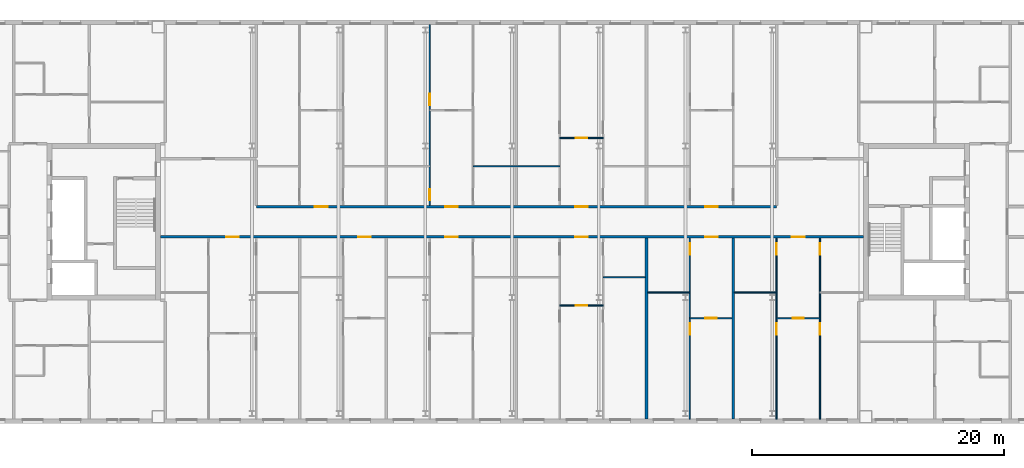
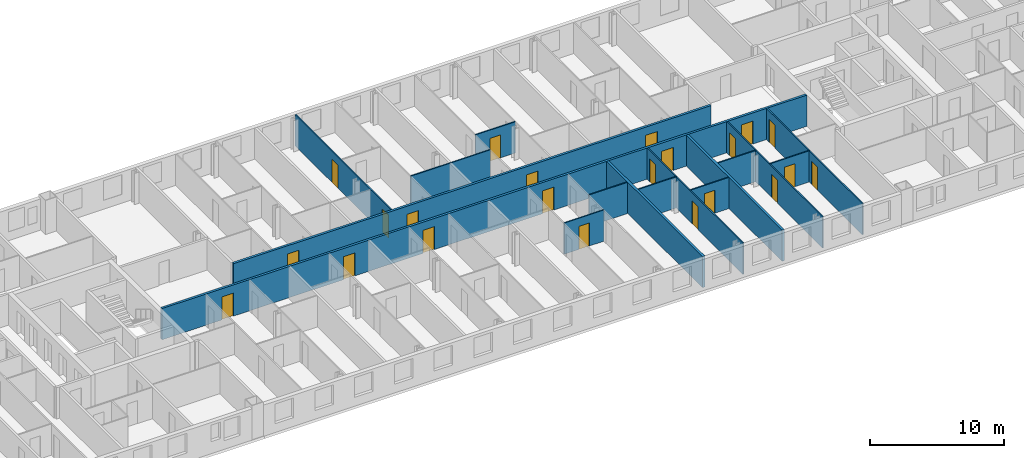
# One storey, part 11 of 19: 22 doors, 16 walls, 22 openings.
"""IFC4 building model written with IfcOpenShell, lengths in metres."""

from ifc_helpers import new_model, si_unit, direction, frame, frame_2d, origin, place, context, subcontext, project, spatial, rectangle, extrude, material, layer, layer_set, type_object, element, fill, save


model = new_model("IFC4")

# Units and contexts
model_context = context("Model", 3, precision=1e-05, world=origin(), true_north=direction((0.0, 1.0)))
body_context = subcontext(model_context, "Body", "Model", "MODEL_VIEW")
ifc_project = project(units=[si_unit("LENGTHUNIT", "METRE"), si_unit("AREAUNIT", "SQUARE_METRE"), si_unit("VOLUMEUNIT", "CUBIC_METRE"), si_unit("PLANEANGLEUNIT", "RADIAN"), si_unit("MASSUNIT", "GRAM", prefix="KILO")], contexts=[model_context])

# Site, building, storey
site_placement = place(None, origin())
site = spatial("IfcSite", under=ifc_project, at=site_placement, CompositionType="ELEMENT")
building_placement = place(site_placement, origin())
building = spatial("IfcBuilding", under=site, at=building_placement, Name="Tuart Gate Housing", CompositionType="ELEMENT")
storey_placement = place(building_placement, frame((0.0, 0.0, 209.0)))
storey = spatial("IfcBuildingStorey", under=building, at=storey_placement, Name="L59", CompositionType="ELEMENT", Elevation=209.0)

# Wall, openings, doors
ifc_material_1 = material(Name="Concrete masonry 15 MPa", Category="masonry")
ifc_layer_1 = layer(ifc_material_1, 0.199951171875)
ifc_layer_set_1 = layer_set([ifc_layer_1], Name="Corridor wall masonry 200")
wall_type_1 = type_object("IfcWallType", Name="Corridor wall masonry 200", PredefinedType="PARTITIONING", material=ifc_layer_set_1)
wall_1_placement = place(storey_placement, frame((75.639892578125, 68.800048828125, 0.0), z_axis=(0.0, 0.0, 1.0), x_axis=(1.0, 0.0, 0.0)))
wall_1 = element("IfcWall", 1, at=wall_1_placement, inside=storey, type_object=wall_type_1, Name="Corridor wall masonry 200", PredefinedType="PARTITIONING", context=body_context, shape_type="SweptSolid", body=[
    extrude(rectangle(XDim=55.72021484375, YDim=0.199951171875, at=frame_2d((27.860107421875, 0.0))), origin(), (0.0, 0.0, 1.0), 2.85009765625),
])
opening_1_placement = place(wall_1_placement, frame((5.19140625, 0.0, 0.0)))
opening_1 = element("IfcOpeningElement", 2, at=opening_1_placement, cuts=wall_1, Name="Opening D2192", PredefinedType="OPENING", context=body_context, shape_type="SweptSolid", body=[
    extrude(rectangle(XDim=1.0, YDim=2.10009765625, at=frame_2d((0.5, 1.050048828125))), frame((0.0, 0.10986328125, 0.0), z_axis=(0.0, -1.0, 0.0), x_axis=(1.0, 0.0, 0.0)), (0.0, 0.0, 1.0), 0.219970703125),
])
opening_2_placement = place(wall_1_placement, frame((15.678466796875, 0.0, 0.0)))
opening_2 = element("IfcOpeningElement", 3, at=opening_2_placement, cuts=wall_1, Name="Opening D2193", PredefinedType="OPENING", context=body_context, shape_type="SweptSolid", body=[
    extrude(rectangle(XDim=1.0, YDim=2.10009765625, at=frame_2d((0.5, 1.050048828125))), frame((0.0, 0.10986328125, 0.0), z_axis=(0.0, -1.0, 0.0), x_axis=(1.0, 0.0, 0.0)), (0.0, 0.0, 1.0), 0.219970703125),
])
opening_3_placement = place(wall_1_placement, frame((22.553466796875, 0.0, 0.0)))
opening_3 = element("IfcOpeningElement", 4, at=opening_3_placement, cuts=wall_1, Name="Opening D2194", PredefinedType="OPENING", context=body_context, shape_type="SweptSolid", body=[
    extrude(rectangle(XDim=1.0, YDim=2.10009765625, at=frame_2d((0.5, 1.050048828125))), frame((0.0, 0.10986328125, 0.0), z_axis=(0.0, -1.0, 0.0), x_axis=(1.0, 0.0, 0.0)), (0.0, 0.0, 1.0), 0.219970703125),
])
opening_4_placement = place(wall_1_placement, frame((32.865966796875, 0.0, 0.0)))
opening_4 = element("IfcOpeningElement", 5, at=opening_4_placement, cuts=wall_1, Name="Opening D2195", PredefinedType="OPENING", context=body_context, shape_type="SweptSolid", body=[
    extrude(rectangle(XDim=1.0, YDim=2.10009765625, at=frame_2d((0.5, 1.050048828125))), frame((0.0, 0.10986328125, 0.0), z_axis=(0.0, -1.0, 0.0), x_axis=(1.0, 0.0, 0.0)), (0.0, 0.0, 1.0), 0.219970703125),
])
opening_5_placement = place(wall_1_placement, frame((43.178466796875, 0.0, 0.0)))
opening_5 = element("IfcOpeningElement", 6, at=opening_5_placement, cuts=wall_1, Name="Opening D2196", PredefinedType="OPENING", context=body_context, shape_type="SweptSolid", body=[
    extrude(rectangle(XDim=1.0, YDim=2.10009765625, at=frame_2d((0.5, 1.050048828125))), frame((0.0, 0.10986328125, 0.0), z_axis=(0.0, -1.0, 0.0), x_axis=(1.0, 0.0, 0.0)), (0.0, 0.0, 1.0), 0.219970703125),
])
opening_6_placement = place(wall_1_placement, frame((50.053466796875, 0.0, 0.0)))
opening_6 = element("IfcOpeningElement", 7, at=opening_6_placement, cuts=wall_1, Name="Opening D2197", PredefinedType="OPENING", context=body_context, shape_type="SweptSolid", body=[
    extrude(rectangle(XDim=1.0, YDim=2.10009765625, at=frame_2d((0.5, 1.050048828125))), frame((0.0, 0.10986328125, 0.0), z_axis=(0.0, -1.0, 0.0), x_axis=(1.0, 0.0, 0.0)), (0.0, 0.0, 1.0), 0.219970703125),
])
ifc_material_2 = material(Name="Timber door leaf in steel frame", Category="steel")
door_type_1 = type_object("IfcDoorType", Name="Flat entrance door 1000 RH", OperationType="SINGLE_SWING_RIGHT", PredefinedType="DOOR", material=ifc_material_2)
door_1_placement = place(opening_1_placement, frame((1.0, 0.0, 0.0), z_axis=(0.0, 0.0, 1.0), x_axis=(-1.0, 0.0, 0.0)))
door_1 = element("IfcDoor", 8, at=door_1_placement, inside=storey, type_object=door_type_1, Name="Flat entrance door", OperationType="SINGLE_SWING_RIGHT", OverallHeight=2.10009765625, OverallWidth=1.0, PredefinedType="DOOR", context=body_context, shape_type="SweptSolid", body=[
    extrude(rectangle(XDim=1.0, YDim=2.10009765625, at=frame_2d((0.5, 1.050048828125))), frame((0.0, 0.025146484375, 0.0), z_axis=(0.0, -1.0, 0.0), x_axis=(1.0, 0.0, 0.0)), (0.0, 0.0, 1.0), 0.050048828125),
])
fill(opening_1, door_1)
door_2_placement = place(opening_2_placement, frame((1.0, 0.0, 0.0), z_axis=(0.0, 0.0, 1.0), x_axis=(-1.0, 0.0, 0.0)))
door_2 = element("IfcDoor", 9, at=door_2_placement, inside=storey, type_object=door_type_1, Name="Flat entrance door", OperationType="SINGLE_SWING_RIGHT", OverallHeight=2.10009765625, OverallWidth=1.0, PredefinedType="DOOR", context=body_context, shape_type="SweptSolid", body=[
    extrude(rectangle(XDim=1.0, YDim=2.10009765625, at=frame_2d((0.5, 1.050048828125))), frame((0.0, 0.025146484375, 0.0), z_axis=(0.0, -1.0, 0.0), x_axis=(1.0, 0.0, 0.0)), (0.0, 0.0, 1.0), 0.050048828125),
])
fill(opening_2, door_2)
door_3_placement = place(opening_3_placement, frame((1.0, 0.0, 0.0), z_axis=(0.0, 0.0, 1.0), x_axis=(-1.0, 0.0, 0.0)))
door_3 = element("IfcDoor", 10, at=door_3_placement, inside=storey, type_object=door_type_1, Name="Flat entrance door", OperationType="SINGLE_SWING_RIGHT", OverallHeight=2.10009765625, OverallWidth=1.0, PredefinedType="DOOR", context=body_context, shape_type="SweptSolid", body=[
    extrude(rectangle(XDim=1.0, YDim=2.10009765625, at=frame_2d((0.5, 1.050048828125))), frame((0.0, 0.025146484375, 0.0), z_axis=(0.0, -1.0, 0.0), x_axis=(1.0, 0.0, 0.0)), (0.0, 0.0, 1.0), 0.050048828125),
])
fill(opening_3, door_3)
door_4_placement = place(opening_4_placement, frame((1.0, 0.0, 0.0), z_axis=(0.0, 0.0, 1.0), x_axis=(-1.0, 0.0, 0.0)))
door_4 = element("IfcDoor", 11, at=door_4_placement, inside=storey, type_object=door_type_1, Name="Flat entrance door", OperationType="SINGLE_SWING_RIGHT", OverallHeight=2.10009765625, OverallWidth=1.0, PredefinedType="DOOR", context=body_context, shape_type="SweptSolid", body=[
    extrude(rectangle(XDim=1.0, YDim=2.10009765625, at=frame_2d((0.5, 1.050048828125))), frame((0.0, 0.025146484375, 0.0), z_axis=(0.0, -1.0, 0.0), x_axis=(1.0, 0.0, 0.0)), (0.0, 0.0, 1.0), 0.050048828125),
])
fill(opening_4, door_4)
door_5_placement = place(opening_5_placement, frame((1.0, 0.0, 0.0), z_axis=(0.0, 0.0, 1.0), x_axis=(-1.0, 0.0, 0.0)))
door_5 = element("IfcDoor", 12, at=door_5_placement, inside=storey, type_object=door_type_1, Name="Flat entrance door", OperationType="SINGLE_SWING_RIGHT", OverallHeight=2.10009765625, OverallWidth=1.0, PredefinedType="DOOR", context=body_context, shape_type="SweptSolid", body=[
    extrude(rectangle(XDim=1.0, YDim=2.10009765625, at=frame_2d((0.5, 1.050048828125))), frame((0.0, 0.025146484375, 0.0), z_axis=(0.0, -1.0, 0.0), x_axis=(1.0, 0.0, 0.0)), (0.0, 0.0, 1.0), 0.050048828125),
])
fill(opening_5, door_5)
door_6_placement = place(opening_6_placement, frame((1.0, 0.0, 0.0), z_axis=(0.0, 0.0, 1.0), x_axis=(-1.0, 0.0, 0.0)))
door_6 = element("IfcDoor", 13, at=door_6_placement, inside=storey, type_object=door_type_1, Name="Flat entrance door", OperationType="SINGLE_SWING_RIGHT", OverallHeight=2.10009765625, OverallWidth=1.0, PredefinedType="DOOR", context=body_context, shape_type="SweptSolid", body=[
    extrude(rectangle(XDim=1.0, YDim=2.10009765625, at=frame_2d((0.5, 1.050048828125))), frame((0.0, 0.025146484375, 0.0), z_axis=(0.0, -1.0, 0.0), x_axis=(1.0, 0.0, 0.0)), (0.0, 0.0, 1.0), 0.050048828125),
])
fill(opening_6, door_6)

wall_2_placement = place(storey_placement, frame((83.22509765625, 71.199951171875, 0.0), z_axis=(0.0, 0.0, 1.0), x_axis=(1.0, 0.0, 0.0)))
wall_2 = element("IfcWall", 14, at=wall_2_placement, inside=storey, type_object=wall_type_1, Name="Corridor wall masonry 200", PredefinedType="PARTITIONING", context=body_context, shape_type="SweptSolid", body=[
    extrude(rectangle(XDim=41.25, YDim=0.199951171875, at=frame_2d((20.625, 0.0))), origin(), (0.0, 0.0, 1.0), 2.85009765625),
])
opening_7_placement = place(wall_2_placement, frame((4.656005859375, 0.0, 0.0)))
opening_7 = element("IfcOpeningElement", 15, at=opening_7_placement, cuts=wall_2, Name="Opening D2188", PredefinedType="OPENING", context=body_context, shape_type="SweptSolid", body=[
    extrude(rectangle(XDim=1.0, YDim=2.10009765625, at=frame_2d((0.5, 1.050048828125))), frame((0.0, 0.10986328125, 0.0), z_axis=(0.0, -1.0, 0.0), x_axis=(1.0, 0.0, 0.0)), (0.0, 0.0, 1.0), 0.219970703125),
])
opening_8_placement = place(wall_2_placement, frame((14.968505859375, 0.0, 0.0)))
opening_8 = element("IfcOpeningElement", 16, at=opening_8_placement, cuts=wall_2, Name="Opening D2189", PredefinedType="OPENING", context=body_context, shape_type="SweptSolid", body=[
    extrude(rectangle(XDim=1.0, YDim=2.10009765625, at=frame_2d((0.5, 1.050048828125))), frame((0.0, 0.10986328125, 0.0), z_axis=(0.0, -1.0, 0.0), x_axis=(1.0, 0.0, 0.0)), (0.0, 0.0, 1.0), 0.219970703125),
])
opening_9_placement = place(wall_2_placement, frame((25.281005859375, 0.0, 0.0)))
opening_9 = element("IfcOpeningElement", 17, at=opening_9_placement, cuts=wall_2, Name="Opening D2190", PredefinedType="OPENING", context=body_context, shape_type="SweptSolid", body=[
    extrude(rectangle(XDim=1.0, YDim=2.10009765625, at=frame_2d((0.5, 1.050048828125))), frame((0.0, 0.10986328125, 0.0), z_axis=(0.0, -1.0, 0.0), x_axis=(1.0, 0.0, 0.0)), (0.0, 0.0, 1.0), 0.219970703125),
])
opening_10_placement = place(wall_2_placement, frame((35.593505859375, 0.0, 0.0)))
opening_10 = element("IfcOpeningElement", 18, at=opening_10_placement, cuts=wall_2, Name="Opening D2191", PredefinedType="OPENING", context=body_context, shape_type="SweptSolid", body=[
    extrude(rectangle(XDim=1.0, YDim=2.10009765625, at=frame_2d((0.5, 1.050048828125))), frame((0.0, 0.10986328125, 0.0), z_axis=(0.0, -1.0, 0.0), x_axis=(1.0, 0.0, 0.0)), (0.0, 0.0, 1.0), 0.219970703125),
])
ifc_material_3 = material(Name="Timber door leaf in steel frame", Category="steel")
door_type_2 = type_object("IfcDoorType", Name="Flat entrance door 1000", OperationType="SINGLE_SWING_LEFT", PredefinedType="DOOR", material=ifc_material_3)
door_7_placement = place(opening_7_placement, origin())
door_7 = element("IfcDoor", 19, at=door_7_placement, inside=storey, type_object=door_type_2, Name="Flat entrance door", OperationType="SINGLE_SWING_LEFT", OverallHeight=2.10009765625, OverallWidth=1.0, PredefinedType="DOOR", context=body_context, shape_type="SweptSolid", body=[
    extrude(rectangle(XDim=1.0, YDim=2.10009765625, at=frame_2d((0.5, 1.050048828125))), frame((0.0, 0.02490234375, 0.0), z_axis=(0.0, -1.0, 0.0), x_axis=(1.0, 0.0, 0.0)), (0.0, 0.0, 1.0), 0.050048828125),
])
fill(opening_7, door_7)
door_8_placement = place(opening_8_placement, origin())
door_8 = element("IfcDoor", 20, at=door_8_placement, inside=storey, type_object=door_type_2, Name="Flat entrance door", OperationType="SINGLE_SWING_LEFT", OverallHeight=2.10009765625, OverallWidth=1.0, PredefinedType="DOOR", context=body_context, shape_type="SweptSolid", body=[
    extrude(rectangle(XDim=1.0, YDim=2.10009765625, at=frame_2d((0.5, 1.050048828125))), frame((0.0, 0.02490234375, 0.0), z_axis=(0.0, -1.0, 0.0), x_axis=(1.0, 0.0, 0.0)), (0.0, 0.0, 1.0), 0.050048828125),
])
fill(opening_8, door_8)
door_9_placement = place(opening_9_placement, origin())
door_9 = element("IfcDoor", 21, at=door_9_placement, inside=storey, type_object=door_type_2, Name="Flat entrance door", OperationType="SINGLE_SWING_LEFT", OverallHeight=2.10009765625, OverallWidth=1.0, PredefinedType="DOOR", context=body_context, shape_type="SweptSolid", body=[
    extrude(rectangle(XDim=1.0, YDim=2.10009765625, at=frame_2d((0.5, 1.050048828125))), frame((0.0, 0.02490234375, 0.0), z_axis=(0.0, -1.0, 0.0), x_axis=(1.0, 0.0, 0.0)), (0.0, 0.0, 1.0), 0.050048828125),
])
fill(opening_9, door_9)
door_10_placement = place(opening_10_placement, origin())
door_10 = element("IfcDoor", 22, at=door_10_placement, inside=storey, type_object=door_type_2, Name="Flat entrance door", OperationType="SINGLE_SWING_LEFT", OverallHeight=2.10009765625, OverallWidth=1.0, PredefinedType="DOOR", context=body_context, shape_type="SweptSolid", body=[
    extrude(rectangle(XDim=1.0, YDim=2.10009765625, at=frame_2d((0.5, 1.050048828125))), frame((0.0, 0.02490234375, 0.0), z_axis=(0.0, -1.0, 0.0), x_axis=(1.0, 0.0, 0.0)), (0.0, 0.0, 1.0), 0.050048828125),
])
fill(opening_10, door_10)

# Wall, opening, door
ifc_material_4 = material(Name="Gypsum board on steel studs", Category="steel")
ifc_layer_2 = layer(ifc_material_4, 0.10009765625)
ifc_layer_set_2 = layer_set([ifc_layer_2], Name="Partition 100")
wall_type_2 = type_object("IfcWallType", Name="Partition 100", PredefinedType="PARTITIONING", material=ifc_layer_set_2)
wall_3_placement = place(storey_placement, frame((117.60009765625, 62.360107421875, 0.0), z_axis=(0.0, 0.0, 1.0), x_axis=(1.0, 0.0, 0.0)))
wall_3 = element("IfcWall", 23, at=wall_3_placement, inside=storey, type_object=wall_type_2, Name="Partition 100", PredefinedType="PARTITIONING", context=body_context, shape_type="SweptSolid", body=[
    extrude(rectangle(XDim=3.3369140625, YDim=0.10009765625, at=frame_2d((1.66845703125, 0.0))), origin(), (0.0, 0.0, 1.0), 2.85009765625),
])
opening_11_placement = place(wall_3_placement, frame((1.218505859375, 0.0, 0.0)))
opening_11 = element("IfcOpeningElement", 24, at=opening_11_placement, cuts=wall_3, Name="Opening D2200", PredefinedType="OPENING", context=body_context, shape_type="SweptSolid", body=[
    extrude(rectangle(XDim=0.89990234375, YDim=2.10009765625, at=frame_2d((0.449951171875, 1.050048828125))), frame((0.0, 0.06005859375, 0.0), z_axis=(0.0, -1.0, 0.0), x_axis=(1.0, 0.0, 0.0)), (0.0, 0.0, 1.0), 0.1201171875),
])
ifc_material_5 = material(Name="Timber door leaf in steel frame", Category="steel")
door_type_3 = type_object("IfcDoorType", Name="Internal door 900", OperationType="SINGLE_SWING_LEFT", PredefinedType="DOOR", material=ifc_material_5)
door_11_placement = place(opening_11_placement, origin())
door_11 = element("IfcDoor", 25, at=door_11_placement, inside=storey, type_object=door_type_3, Name="Internal door", OperationType="SINGLE_SWING_LEFT", OverallHeight=2.10009765625, OverallWidth=0.89990234375, PredefinedType="DOOR", context=body_context, shape_type="SweptSolid", body=[
    extrude(rectangle(XDim=0.89990234375, YDim=2.10009765625, at=frame_2d((0.449951171875, 1.050048828125))), frame((0.0, 0.02490234375, 0.0), z_axis=(0.0, -1.0, 0.0), x_axis=(1.0, 0.0, 0.0)), (0.0, 0.0, 1.0), 0.050048828125),
])
fill(opening_11, door_11)

wall_4_placement = place(storey_placement, frame((124.47509765625, 62.360107421875, 0.0), z_axis=(0.0, 0.0, 1.0), x_axis=(1.0, 0.0, 0.0)))
wall_4 = element("IfcWall", 26, at=wall_4_placement, inside=storey, type_object=wall_type_2, Name="Partition 100", PredefinedType="PARTITIONING", context=body_context, shape_type="SweptSolid", body=[
    extrude(rectangle(XDim=3.43701171875, YDim=0.10009765625, at=frame_2d((1.718505859375, 0.0))), origin(), (0.0, 0.0, 1.0), 2.85009765625),
])
opening_12_placement = place(wall_4_placement, frame((1.2685546875, 0.0, 0.0)))
opening_12 = element("IfcOpeningElement", 27, at=opening_12_placement, cuts=wall_4, Name="Opening D2201", PredefinedType="OPENING", context=body_context, shape_type="SweptSolid", body=[
    extrude(rectangle(XDim=0.89990234375, YDim=2.10009765625, at=frame_2d((0.449951171875, 1.050048828125))), frame((0.0, 0.06005859375, 0.0), z_axis=(0.0, -1.0, 0.0), x_axis=(1.0, 0.0, 0.0)), (0.0, 0.0, 1.0), 0.1201171875),
])
door_12_placement = place(opening_12_placement, origin())
door_12 = element("IfcDoor", 28, at=door_12_placement, inside=storey, type_object=door_type_3, Name="Internal door", OperationType="SINGLE_SWING_LEFT", OverallHeight=2.10009765625, OverallWidth=0.89990234375, PredefinedType="DOOR", context=body_context, shape_type="SweptSolid", body=[
    extrude(rectangle(XDim=0.89990234375, YDim=2.10009765625, at=frame_2d((0.449951171875, 1.050048828125))), frame((0.0, 0.02490234375, 0.0), z_axis=(0.0, -1.0, 0.0), x_axis=(1.0, 0.0, 0.0)), (0.0, 0.0, 1.0), 0.050048828125),
])
fill(opening_12, door_12)

wall_5_placement = place(storey_placement, frame((107.287109375, 63.360107421875, 0.0), z_axis=(0.0, 0.0, 1.0), x_axis=(1.0, 0.0, 0.0)))
wall_5 = element("IfcWall", 29, at=wall_5_placement, inside=storey, type_object=wall_type_2, Name="Partition 100", PredefinedType="PARTITIONING", context=body_context, shape_type="SweptSolid", body=[
    extrude(rectangle(XDim=3.43798828125, YDim=0.10009765625, at=frame_2d((1.718994140625, 0.0))), origin(), (0.0, 0.0, 1.0), 2.85009765625),
])
opening_13_placement = place(wall_5_placement, frame((1.26904296875, 0.0, 0.0)))
opening_13 = element("IfcOpeningElement", 30, at=opening_13_placement, cuts=wall_5, Name="Opening D2198", PredefinedType="OPENING", context=body_context, shape_type="SweptSolid", body=[
    extrude(rectangle(XDim=0.89990234375, YDim=2.10009765625, at=frame_2d((0.449951171875, 1.050048828125))), frame((0.0, 0.06005859375, 0.0), z_axis=(0.0, -1.0, 0.0), x_axis=(1.0, 0.0, 0.0)), (0.0, 0.0, 1.0), 0.1201171875),
])
door_13_placement = place(opening_13_placement, origin())
door_13 = element("IfcDoor", 31, at=door_13_placement, inside=storey, type_object=door_type_3, Name="Internal door", OperationType="SINGLE_SWING_LEFT", OverallHeight=2.10009765625, OverallWidth=0.89990234375, PredefinedType="DOOR", context=body_context, shape_type="SweptSolid", body=[
    extrude(rectangle(XDim=0.89990234375, YDim=2.10009765625, at=frame_2d((0.449951171875, 1.050048828125))), frame((0.0, 0.02490234375, 0.0), z_axis=(0.0, -1.0, 0.0), x_axis=(1.0, 0.0, 0.0)), (0.0, 0.0, 1.0), 0.050048828125),
])
fill(opening_13, door_13)

# Walls
for number, where, z_axis, x_axis, name in (
    (32, (114.261962890625, 64.39990234375, 0.0), (0.0, 0.0, 1.0), (1.0, 0.0, 0.0), "Partition 100"),
    (33, (121.136962890625, 64.39990234375, 0.0), (0.0, 0.0, 1.0), (1.0, 0.0, 0.0), "Partition 100"),
):
    element("IfcWall", number, at=place(storey_placement, frame(where, z_axis=z_axis, x_axis=x_axis)), inside=storey, type_object=wall_type_2, Name=name, PredefinedType="PARTITIONING", context=body_context, shape_type="SweptSolid", body=[
        extrude(rectangle(XDim=3.338134765625, YDim=0.10009765625, at=frame_2d((1.6689453125, 0.0))), origin(), (0.0, 0.0, 1.0), 2.85009765625),
    ])
wall_6_placement = place(storey_placement, frame((110.72509765625, 65.60009765625, 0.0), z_axis=(0.0, 0.0, 1.0), x_axis=(1.0, 0.0, 0.0)))
element("IfcWall", 34, at=wall_6_placement, inside=storey, type_object=wall_type_2, Name="Partition 100", PredefinedType="PARTITIONING", context=body_context, shape_type="SweptSolid", body=[
    extrude(rectangle(XDim=3.3369140625, YDim=0.10009765625, at=frame_2d((1.66845703125, 0.0))), origin(), (0.0, 0.0, 1.0), 2.85009765625),
])
wall_7_placement = place(storey_placement, frame((100.412109375, 74.39990234375, 0.0), z_axis=(0.0, 0.0, 1.0), x_axis=(1.0, 0.0, 0.0)))
element("IfcWall", 35, at=wall_7_placement, inside=storey, type_object=wall_type_2, Name="Partition 100", PredefinedType="PARTITIONING", context=body_context, shape_type="SweptSolid", body=[
    extrude(rectangle(XDim=6.875, YDim=0.10009765625, at=frame_2d((3.4375, 0.0))), origin(), (0.0, 0.0, 1.0), 2.85009765625),
])

# Wall, opening, door
wall_8_placement = place(storey_placement, frame((107.287109375, 76.639892578125, 0.0), z_axis=(0.0, 0.0, 1.0), x_axis=(1.0, 0.0, 0.0)))
wall_8 = element("IfcWall", 36, at=wall_8_placement, inside=storey, type_object=wall_type_2, Name="Partition 100", PredefinedType="PARTITIONING", context=body_context, shape_type="SweptSolid", body=[
    extrude(rectangle(XDim=3.43798828125, YDim=0.10009765625, at=frame_2d((1.718994140625, 0.0))), origin(), (0.0, 0.0, 1.0), 2.85009765625),
])
opening_14_placement = place(wall_8_placement, frame((1.26904296875, 0.0, 0.0)))
opening_14 = element("IfcOpeningElement", 37, at=opening_14_placement, cuts=wall_8, Name="Opening D2185", PredefinedType="OPENING", context=body_context, shape_type="SweptSolid", body=[
    extrude(rectangle(XDim=0.89990234375, YDim=2.10009765625, at=frame_2d((0.449951171875, 1.050048828125))), frame((0.0, 0.06005859375, 0.0), z_axis=(0.0, -1.0, 0.0), x_axis=(1.0, 0.0, 0.0)), (0.0, 0.0, 1.0), 0.1201171875),
])
ifc_material_6 = material(Name="Timber door leaf in steel frame", Category="steel")
door_type_4 = type_object("IfcDoorType", Name="Internal door 900 RH", OperationType="SINGLE_SWING_RIGHT", PredefinedType="DOOR", material=ifc_material_6)
door_14_placement = place(opening_14_placement, frame((0.89990234375, 0.0, 0.0), z_axis=(0.0, 0.0, 1.0), x_axis=(-1.0, 0.0, 0.0)))
door_14 = element("IfcDoor", 38, at=door_14_placement, inside=storey, type_object=door_type_4, Name="Internal door", OperationType="SINGLE_SWING_RIGHT", OverallHeight=2.10009765625, OverallWidth=0.89990234375, PredefinedType="DOOR", context=body_context, shape_type="SweptSolid", body=[
    extrude(rectangle(XDim=0.89990234375, YDim=2.10009765625, at=frame_2d((0.449951171875, 1.050048828125))), frame((0.0, 0.025146484375, 0.0), z_axis=(0.0, -1.0, 0.0), x_axis=(1.0, 0.0, 0.0)), (0.0, 0.0, 1.0), 0.050048828125),
])
fill(opening_14, door_14)

# Wall, openings, doors
wall_9_placement = place(storey_placement, frame((96.97509765625, 71.300048828125, 0.0), z_axis=(0.0, 0.0, 1.0), x_axis=(0.0, 1.0, 0.0)))
wall_9 = element("IfcWall", 39, at=wall_9_placement, inside=storey, type_object=wall_type_2, Name="Partition 100", PredefinedType="PARTITIONING", context=body_context, shape_type="SweptSolid", body=[
    extrude(rectangle(XDim=14.33984375, YDim=0.10009765625, at=frame_2d((7.169921875, 0.0))), origin(), (0.0, 0.0, 1.0), 2.85009765625),
])
opening_15_placement = place(wall_9_placement, frame((7.93994140625, 0.0, 0.0)))
opening_15 = element("IfcOpeningElement", 40, at=opening_15_placement, cuts=wall_9, Name="Opening D2174", PredefinedType="OPENING", context=body_context, shape_type="SweptSolid", body=[
    extrude(rectangle(XDim=0.89990234375, YDim=2.10009765625, at=frame_2d((0.449951171875, 1.050048828125))), frame((0.0, 0.06005859375, 0.0), z_axis=(0.0, -1.0, 0.0), x_axis=(1.0, 0.0, 0.0)), (0.0, 0.0, 1.0), 0.1201171875),
])
opening_16_placement = place(wall_9_placement, frame((0.39990234375, 0.0, 0.0)))
opening_16 = element("IfcOpeningElement", 41, at=opening_16_placement, cuts=wall_9, Name="Opening D2173", PredefinedType="OPENING", context=body_context, shape_type="SweptSolid", body=[
    extrude(rectangle(XDim=0.89990234375, YDim=2.10009765625, at=frame_2d((0.449951171875, 1.050048828125))), frame((0.0, 0.06005859375, 0.0), z_axis=(0.0, -1.0, 0.0), x_axis=(1.0, 0.0, 0.0)), (0.0, 0.0, 1.0), 0.1201171875),
])
ifc_material_7 = material(Name="Timber door leaf in steel frame", Category="steel")
door_type_5 = type_object("IfcDoorType", Name="Bathroom door 900", OperationType="SINGLE_SWING_LEFT", PredefinedType="DOOR", material=ifc_material_7)
door_15_placement = place(opening_16_placement, origin())
door_15 = element("IfcDoor", 42, at=door_15_placement, inside=storey, type_object=door_type_5, Name="Bathroom door", OperationType="SINGLE_SWING_LEFT", OverallHeight=2.10009765625, OverallWidth=0.89990234375, PredefinedType="DOOR", context=body_context, shape_type="SweptSolid", body=[
    extrude(rectangle(XDim=0.89990234375, YDim=2.10009765625, at=frame_2d((0.449951171875, 1.050048828125))), frame((0.0, 0.02490234375, 0.0), z_axis=(0.0, -1.0, 0.0), x_axis=(1.0, 0.0, 0.0)), (0.0, 0.0, 1.0), 0.050048828125),
])
fill(opening_16, door_15)
door_16_placement = place(opening_15_placement, origin())
door_16 = element("IfcDoor", 43, at=door_16_placement, inside=storey, type_object=door_type_3, Name="Internal door", OperationType="SINGLE_SWING_LEFT", OverallHeight=2.10009765625, OverallWidth=0.89990234375, PredefinedType="DOOR", context=body_context, shape_type="SweptSolid", body=[
    extrude(rectangle(XDim=0.89990234375, YDim=2.10009765625, at=frame_2d((0.449951171875, 1.050048828125))), frame((0.0, 0.02490234375, 0.0), z_axis=(0.0, -1.0, 0.0), x_axis=(1.0, 0.0, 0.0)), (0.0, 0.0, 1.0), 0.050048828125),
])
fill(opening_15, door_16)

wall_10_placement = place(storey_placement, frame((117.60009765625, 54.360107421875, 0.0), z_axis=(0.0, 0.0, 1.0), x_axis=(0.0, 1.0, 0.0)))
wall_10 = element("IfcWall", 44, at=wall_10_placement, inside=storey, type_object=wall_type_2, Name="Partition 100", PredefinedType="PARTITIONING", context=body_context, shape_type="SweptSolid", body=[
    extrude(rectangle(XDim=14.33984375, YDim=0.10009765625, at=frame_2d((7.169921875, 0.0))), origin(), (0.0, 0.0, 1.0), 2.85009765625),
])
opening_17_placement = place(wall_10_placement, frame((6.699951171875, 0.0, 0.0)))
opening_17 = element("IfcOpeningElement", 45, at=opening_17_placement, cuts=wall_10, Name="Opening D2217", PredefinedType="OPENING", context=body_context, shape_type="SweptSolid", body=[
    extrude(rectangle(XDim=0.89990234375, YDim=2.10009765625, at=frame_2d((0.449951171875, 1.050048828125))), frame((0.0, 0.06005859375, 0.0), z_axis=(0.0, -1.0, 0.0), x_axis=(1.0, 0.0, 0.0)), (0.0, 0.0, 1.0), 0.1201171875),
])
opening_18_placement = place(wall_10_placement, frame((13.0400390625, 0.0, 0.0)))
opening_18 = element("IfcOpeningElement", 46, at=opening_18_placement, cuts=wall_10, Name="Opening D2216", PredefinedType="OPENING", context=body_context, shape_type="SweptSolid", body=[
    extrude(rectangle(XDim=0.89990234375, YDim=2.10009765625, at=frame_2d((0.449951171875, 1.050048828125))), frame((0.0, 0.06005859375, 0.0), z_axis=(0.0, -1.0, 0.0), x_axis=(1.0, 0.0, 0.0)), (0.0, 0.0, 1.0), 0.1201171875),
])
ifc_material_8 = material(Name="Timber door leaf in steel frame", Category="steel")
door_type_6 = type_object("IfcDoorType", Name="Bathroom door 900 RH", OperationType="SINGLE_SWING_RIGHT", PredefinedType="DOOR", material=ifc_material_8)
door_17_placement = place(opening_18_placement, origin())
door_17 = element("IfcDoor", 47, at=door_17_placement, inside=storey, type_object=door_type_6, Name="Bathroom door", OperationType="SINGLE_SWING_RIGHT", OverallHeight=2.10009765625, OverallWidth=0.89990234375, PredefinedType="DOOR", context=body_context, shape_type="SweptSolid", body=[
    extrude(rectangle(XDim=0.89990234375, YDim=2.10009765625, at=frame_2d((0.449951171875, 1.050048828125))), frame((0.0, 0.02490234375, 0.0), z_axis=(0.0, -1.0, 0.0), x_axis=(1.0, 0.0, 0.0)), (0.0, 0.0, 1.0), 0.050048828125),
])
fill(opening_18, door_17)
door_18_placement = place(opening_17_placement, origin())
door_18 = element("IfcDoor", 48, at=door_18_placement, inside=storey, type_object=door_type_4, Name="Internal door", OperationType="SINGLE_SWING_RIGHT", OverallHeight=2.10009765625, OverallWidth=0.89990234375, PredefinedType="DOOR", context=body_context, shape_type="SweptSolid", body=[
    extrude(rectangle(XDim=0.89990234375, YDim=2.10009765625, at=frame_2d((0.449951171875, 1.050048828125))), frame((0.0, 0.02490234375, 0.0), z_axis=(0.0, -1.0, 0.0), x_axis=(1.0, 0.0, 0.0)), (0.0, 0.0, 1.0), 0.050048828125),
])
fill(opening_17, door_18)

wall_11_placement = place(storey_placement, frame((124.47509765625, 54.360107421875, 0.0), z_axis=(0.0, 0.0, 1.0), x_axis=(0.0, 1.0, 0.0)))
wall_11 = element("IfcWall", 49, at=wall_11_placement, inside=storey, type_object=wall_type_2, Name="Partition 100", PredefinedType="PARTITIONING", context=body_context, shape_type="SweptSolid", body=[
    extrude(rectangle(XDim=14.33984375, YDim=0.10009765625, at=frame_2d((7.169921875, 0.0))), origin(), (0.0, 0.0, 1.0), 2.85009765625),
])
opening_19_placement = place(wall_11_placement, frame((6.699951171875, 0.0, 0.0)))
opening_19 = element("IfcOpeningElement", 50, at=opening_19_placement, cuts=wall_11, Name="Opening D2219", PredefinedType="OPENING", context=body_context, shape_type="SweptSolid", body=[
    extrude(rectangle(XDim=0.89990234375, YDim=2.10009765625, at=frame_2d((0.449951171875, 1.050048828125))), frame((0.0, 0.06005859375, 0.0), z_axis=(0.0, -1.0, 0.0), x_axis=(1.0, 0.0, 0.0)), (0.0, 0.0, 1.0), 0.1201171875),
])
opening_20_placement = place(wall_11_placement, frame((13.0400390625, 0.0, 0.0)))
opening_20 = element("IfcOpeningElement", 51, at=opening_20_placement, cuts=wall_11, Name="Opening D2218", PredefinedType="OPENING", context=body_context, shape_type="SweptSolid", body=[
    extrude(rectangle(XDim=0.89990234375, YDim=2.10009765625, at=frame_2d((0.449951171875, 1.050048828125))), frame((0.0, 0.06005859375, 0.0), z_axis=(0.0, -1.0, 0.0), x_axis=(1.0, 0.0, 0.0)), (0.0, 0.0, 1.0), 0.1201171875),
])
door_19_placement = place(opening_20_placement, origin())
door_19 = element("IfcDoor", 52, at=door_19_placement, inside=storey, type_object=door_type_6, Name="Bathroom door", OperationType="SINGLE_SWING_RIGHT", OverallHeight=2.10009765625, OverallWidth=0.89990234375, PredefinedType="DOOR", context=body_context, shape_type="SweptSolid", body=[
    extrude(rectangle(XDim=0.89990234375, YDim=2.10009765625, at=frame_2d((0.449951171875, 1.050048828125))), frame((0.0, 0.02490234375, 0.0), z_axis=(0.0, -1.0, 0.0), x_axis=(1.0, 0.0, 0.0)), (0.0, 0.0, 1.0), 0.050048828125),
])
fill(opening_20, door_19)
door_20_placement = place(opening_19_placement, origin())
door_20 = element("IfcDoor", 53, at=door_20_placement, inside=storey, type_object=door_type_4, Name="Internal door", OperationType="SINGLE_SWING_RIGHT", OverallHeight=2.10009765625, OverallWidth=0.89990234375, PredefinedType="DOOR", context=body_context, shape_type="SweptSolid", body=[
    extrude(rectangle(XDim=0.89990234375, YDim=2.10009765625, at=frame_2d((0.449951171875, 1.050048828125))), frame((0.0, 0.02490234375, 0.0), z_axis=(0.0, -1.0, 0.0), x_axis=(1.0, 0.0, 0.0)), (0.0, 0.0, 1.0), 0.050048828125),
])
fill(opening_19, door_20)

wall_12_placement = place(storey_placement, frame((127.912109375, 54.360107421875, 0.0), z_axis=(0.0, 0.0, 1.0), x_axis=(0.0, 1.0, 0.0)))
wall_12 = element("IfcWall", 54, at=wall_12_placement, inside=storey, type_object=wall_type_2, Name="Partition 100", PredefinedType="PARTITIONING", context=body_context, shape_type="SweptSolid", body=[
    extrude(rectangle(XDim=14.33984375, YDim=0.10009765625, at=frame_2d((7.169921875, 0.0))), origin(), (0.0, 0.0, 1.0), 2.85009765625),
])
opening_21_placement = place(wall_12_placement, frame((6.699951171875, 0.0, 0.0)))
opening_21 = element("IfcOpeningElement", 55, at=opening_21_placement, cuts=wall_12, Name="Opening D2221", PredefinedType="OPENING", context=body_context, shape_type="SweptSolid", body=[
    extrude(rectangle(XDim=0.89990234375, YDim=2.10009765625, at=frame_2d((0.449951171875, 1.050048828125))), frame((0.0, 0.06005859375, 0.0), z_axis=(0.0, -1.0, 0.0), x_axis=(1.0, 0.0, 0.0)), (0.0, 0.0, 1.0), 0.1201171875),
])
opening_22_placement = place(wall_12_placement, frame((13.0400390625, 0.0, 0.0)))
opening_22 = element("IfcOpeningElement", 56, at=opening_22_placement, cuts=wall_12, Name="Opening D2220", PredefinedType="OPENING", context=body_context, shape_type="SweptSolid", body=[
    extrude(rectangle(XDim=0.89990234375, YDim=2.10009765625, at=frame_2d((0.449951171875, 1.050048828125))), frame((0.0, 0.06005859375, 0.0), z_axis=(0.0, -1.0, 0.0), x_axis=(1.0, 0.0, 0.0)), (0.0, 0.0, 1.0), 0.1201171875),
])
door_21_placement = place(opening_22_placement, frame((0.89990234375, 0.0, 0.0), z_axis=(0.0, 0.0, 1.0), x_axis=(-1.0, 0.0, 0.0)))
door_21 = element("IfcDoor", 57, at=door_21_placement, inside=storey, type_object=door_type_5, Name="Bathroom door", OperationType="SINGLE_SWING_LEFT", OverallHeight=2.10009765625, OverallWidth=0.89990234375, PredefinedType="DOOR", context=body_context, shape_type="SweptSolid", body=[
    extrude(rectangle(XDim=0.89990234375, YDim=2.10009765625, at=frame_2d((0.449951171875, 1.050048828125))), frame((0.0, 0.025146484375, 0.0), z_axis=(0.0, -1.0, 0.0), x_axis=(1.0, 0.0, 0.0)), (0.0, 0.0, 1.0), 0.050048828125),
])
fill(opening_22, door_21)
door_22_placement = place(opening_21_placement, frame((0.89990234375, 0.0, 0.0), z_axis=(0.0, 0.0, 1.0), x_axis=(-1.0, 0.0, 0.0)))
door_22 = element("IfcDoor", 58, at=door_22_placement, inside=storey, type_object=door_type_3, Name="Internal door", OperationType="SINGLE_SWING_LEFT", OverallHeight=2.10009765625, OverallWidth=0.89990234375, PredefinedType="DOOR", context=body_context, shape_type="SweptSolid", body=[
    extrude(rectangle(XDim=0.89990234375, YDim=2.10009765625, at=frame_2d((0.449951171875, 1.050048828125))), frame((0.0, 0.025146484375, 0.0), z_axis=(0.0, -1.0, 0.0), x_axis=(1.0, 0.0, 0.0)), (0.0, 0.0, 1.0), 0.050048828125),
])
fill(opening_21, door_22)

# Walls
ifc_material_9 = material(Name="Concrete masonry 15 MPa", Category="masonry")
ifc_layer_3 = layer(ifc_material_9, 0.199951171875)
ifc_layer_set_3 = layer_set([ifc_layer_3], Name="Party wall masonry 200")
wall_type_3 = type_object("IfcWallType", Name="Party wall masonry 200", PredefinedType="PARTITIONING", material=ifc_layer_set_3)
for number, where, z_axis, x_axis, name in (
    (59, (114.162109375, 54.360107421875, 0.0), (0.0, 0.0, 1.0), (0.0, 1.0, 0.0), "Party wall masonry 200"),
    (60, (121.037109375, 54.360107421875, 0.0), (0.0, 0.0, 1.0), (0.0, 1.0, 0.0), "Party wall masonry 200"),
):
    element("IfcWall", number, at=place(storey_placement, frame(where, z_axis=z_axis, x_axis=x_axis)), inside=storey, type_object=wall_type_3, Name=name, PredefinedType="PARTITIONING", context=body_context, shape_type="SweptSolid", body=[
        extrude(rectangle(XDim=14.33984375, YDim=0.199951171875, at=frame_2d((7.169921875, 0.0))), origin(), (0.0, 0.0, 1.0), 2.85009765625),
    ])

save(model, "model.ifc")
